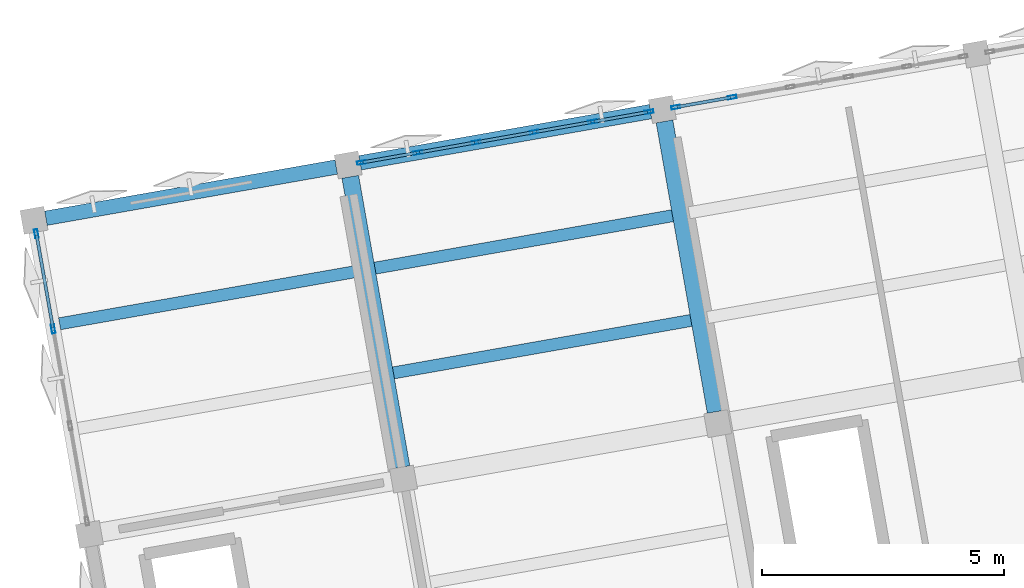
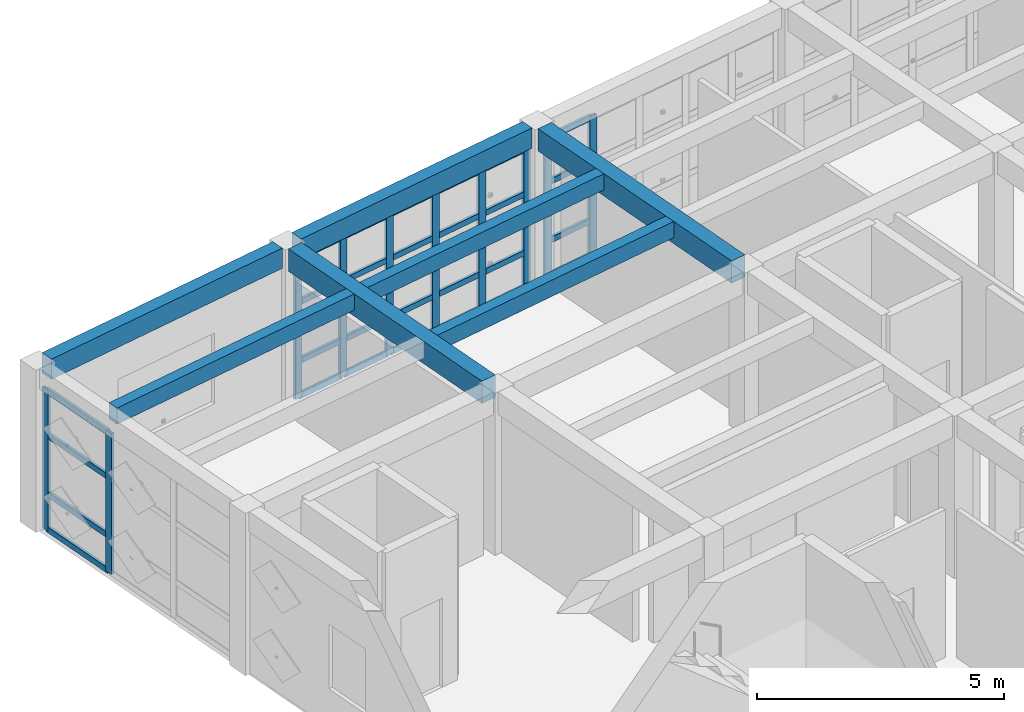
# One storey, part 6 of 15: 38 members, 7 beams, 3 elements without a shape of their own.
"""IFC4 building model written with IfcOpenShell, lengths in metres."""

from ifc_helpers import new_model, si_unit, direction, frame, origin, origin_2d, place, context, subcontext, project, spatial, rectangle, hollow_rectangle, extrude, material, layer, layer_set, material_profile, profile_set, type_object, element, aggregate, save


model = new_model("IFC4")

# Units and contexts
model_context = context("Model", 3, precision=1e-05, world=origin(), true_north=direction((0.0, 1.0)))
body_context = subcontext(model_context, "Body", "Model", "MODEL_VIEW")
ifc_project = project(units=[si_unit("LENGTHUNIT", "METRE"), si_unit("AREAUNIT", "SQUARE_METRE"), si_unit("VOLUMEUNIT", "CUBIC_METRE"), si_unit("PLANEANGLEUNIT", "RADIAN"), si_unit("MASSUNIT", "GRAM", prefix="KILO")], contexts=[model_context])

# Site, building, storey
site_placement = place(None, origin())
site = spatial("IfcSite", under=ifc_project, at=site_placement, CompositionType="ELEMENT")
building_placement = place(site_placement, origin())
building = spatial("IfcBuilding", under=site, at=building_placement, Name="Kharisveld Research Institute", CompositionType="ELEMENT")
storey_placement = place(building_placement, frame((0.0, 0.0, 40.800048828125)))
storey = spatial("IfcBuildingStorey", under=building, at=storey_placement, Name="L09", CompositionType="ELEMENT", Elevation=40.800048828125)

# Beams
ifc_material_1 = material(Name="Concrete C40/50", Category="concrete")
ifc_material_profile_1 = material_profile(ifc_material_1, rectangle(XDim=0.35009765625, YDim=0.550048828125, at=origin_2d()))
ifc_profile_set_1 = profile_set([ifc_material_profile_1], Name="Concrete C40/50")
beam_type_1 = type_object("IfcBeamType", Name="BM_RC_350x550", PredefinedType="BEAM", material=ifc_profile_set_1)
for number, where, z_axis, x_axis, name in (
    (1, (9.3642578125, 49.40185546875, 3.73486328125), (-0.173659757005, 0.984805711192, 0.0), (-0.984805711192, -0.173659757005, 0.0), "BM:V1:L09:V1_2"),
    (2, (15.864013671875, 50.5478515625, 3.73486328125), (-0.173659757005, 0.984805711192, 0.0), (-0.984805711192, -0.173659757005, 0.0), "BM:V1:L09:V2_2"),
):
    element("IfcBeam", number, at=place(storey_placement, frame(where, z_axis=z_axis, x_axis=x_axis)), inside=storey, type_object=beam_type_1, Name=name, PredefinedType="BEAM", context=body_context, shape_type="SweptSolid", body=[
        extrude(rectangle(XDim=0.35009765625, YDim=0.550048828125, at=origin_2d()), origin(), (0.0, 0.0, 1.0), 6.10009765625),
    ])

# Curtain wall, members
ifc_material_2 = material(Name="Thermally Broken Aluminium Curtain Wall", Category="aluminium")
ifc_layer_1 = layer(ifc_material_2, 0.159912109375)
ifc_layer_set_1 = layer_set([ifc_layer_1], Name="CW_SYS_06")
curtain_wall_type_1 = type_object("IfcCurtainWallType", Name="CW_SYS_06", PredefinedType="NOTDEFINED", material=ifc_layer_set_1)
curtain_wall_1_placement = place(storey_placement, origin())
curtain_wall_1 = element("IfcCurtainWall", 3, at=curtain_wall_1_placement, inside=storey, type_object=curtain_wall_type_1, Name="CW:V1:L09:W2", PredefinedType="NOTDEFINED")
ifc_material_3 = material(Name="Anodised Aluminium AW-6063-T6", Category="aluminium")
ifc_material_profile_2 = material_profile(ifc_material_3, hollow_rectangle(XDim=0.070068359375, YDim=0.179931640625, WallThickness=0.00439453125, at=origin_2d()))
ifc_profile_set_2 = profile_set([ifc_material_profile_2], Name="Anodised Aluminium AW-6063-T6")
member_type_1 = type_object("IfcMemberType", Name="CW_MUL_180", PredefinedType="MULLION", material=ifc_profile_set_2)
member_1_placement = place(storey_placement, frame((2.157958984375, 52.26220703125, 0.0), z_axis=(0.0, 0.0, 1.0), x_axis=(-0.984807766347, -0.173648102039, 0.0)))
member_1 = element("IfcMember", 4, at=member_1_placement, type_object=member_type_1, Name="CW-06 mullion 3", PredefinedType="MULLION", context=body_context, shape_type="SweptSolid", body=[
    extrude(hollow_rectangle(XDim=0.070068359375, YDim=0.179931640625, WallThickness=0.00439453125, at=origin_2d()), origin(), (0.0, 0.0, 1.0), 3.47998046875),
])
member_2_placement = place(storey_placement, frame((1.810302734375, 54.2333984375, 0.0), z_axis=(0.0, 0.0, 1.0), x_axis=(-0.984807766347, -0.173648102039, 0.0)))
member_2 = element("IfcMember", 5, at=member_2_placement, type_object=member_type_1, Name="CW-06 mullion 4", PredefinedType="MULLION", context=body_context, shape_type="SweptSolid", body=[
    extrude(hollow_rectangle(XDim=0.070068359375, YDim=0.179931640625, WallThickness=0.00439453125, at=origin_2d()), origin(), (0.0, 0.0, 1.0), 3.47998046875),
])

ifc_material_4 = material(Name="Thermally Broken Aluminium Curtain Wall", Category="aluminium")
ifc_layer_2 = layer(ifc_material_4, 0.159912109375)
ifc_layer_set_2 = layer_set([ifc_layer_2], Name="CW_SYS_01")
curtain_wall_type_2 = type_object("IfcCurtainWallType", Name="CW_SYS_01", PredefinedType="NOTDEFINED", material=ifc_layer_set_2)
curtain_wall_2_placement = place(storey_placement, origin())
curtain_wall_2 = element("IfcCurtainWall", 6, at=curtain_wall_2_placement, inside=storey, type_object=curtain_wall_type_2, Name="CW:V1:L09:N1", PredefinedType="NOTDEFINED")
member_3_placement = place(storey_placement, frame((8.537353515625, 55.703857421875, 0.0), z_axis=(0.0, 0.0, 1.0), x_axis=(-0.173648130021, 0.984807761413, 0.0)))
member_3 = element("IfcMember", 7, at=member_3_placement, type_object=member_type_1, Name="CW-01 mullion 1", PredefinedType="MULLION", context=body_context, shape_type="SweptSolid", body=[
    extrude(hollow_rectangle(XDim=0.070068359375, YDim=0.179931640625, WallThickness=0.00439453125, at=origin_2d()), origin(), (0.0, 0.0, 1.0), 3.47998046875),
])
member_4_placement = place(storey_placement, frame((9.706298828125, 55.909912109375, 0.0), z_axis=(0.0, 0.0, 1.0), x_axis=(-0.173648130021, 0.984807761413, 0.0)))
member_4 = element("IfcMember", 8, at=member_4_placement, type_object=member_type_1, Name="CW-01 mullion 2", PredefinedType="MULLION", context=body_context, shape_type="SweptSolid", body=[
    extrude(hollow_rectangle(XDim=0.070068359375, YDim=0.179931640625, WallThickness=0.00439453125, at=origin_2d()), origin(), (0.0, 0.0, 1.0), 3.47998046875),
])
member_5_placement = place(storey_placement, frame((10.90966796875, 56.122314453125, 0.0), z_axis=(0.0, 0.0, 1.0), x_axis=(-0.173648130021, 0.984807761413, 0.0)))
member_5 = element("IfcMember", 9, at=member_5_placement, type_object=member_type_1, Name="CW-01 mullion 3", PredefinedType="MULLION", context=body_context, shape_type="SweptSolid", body=[
    extrude(hollow_rectangle(XDim=0.070068359375, YDim=0.179931640625, WallThickness=0.00439453125, at=origin_2d()), origin(), (0.0, 0.0, 1.0), 3.47998046875),
])
member_6_placement = place(storey_placement, frame((12.113037109375, 56.33447265625, 0.0), z_axis=(0.0, 0.0, 1.0), x_axis=(-0.173648130021, 0.984807761413, 0.0)))
member_6 = element("IfcMember", 10, at=member_6_placement, type_object=member_type_1, Name="CW-01 mullion 4", PredefinedType="MULLION", context=body_context, shape_type="SweptSolid", body=[
    extrude(hollow_rectangle(XDim=0.070068359375, YDim=0.179931640625, WallThickness=0.00439453125, at=origin_2d()), origin(), (0.0, 0.0, 1.0), 3.47998046875),
])
member_7_placement = place(storey_placement, frame((13.31640625, 56.546630859375, 0.0), z_axis=(0.0, 0.0, 1.0), x_axis=(-0.173648130021, 0.984807761413, 0.0)))
member_7 = element("IfcMember", 11, at=member_7_placement, type_object=member_type_1, Name="CW-01 mullion 5", PredefinedType="MULLION", context=body_context, shape_type="SweptSolid", body=[
    extrude(hollow_rectangle(XDim=0.070068359375, YDim=0.179931640625, WallThickness=0.00439453125, at=origin_2d()), origin(), (0.0, 0.0, 1.0), 3.47998046875),
])
member_8_placement = place(storey_placement, frame((14.485595703125, 56.752685546875, 0.0), z_axis=(0.0, 0.0, 1.0), x_axis=(-0.173648130021, 0.984807761413, 0.0)))
member_8 = element("IfcMember", 12, at=member_8_placement, type_object=member_type_1, Name="CW-01 mullion 6", PredefinedType="MULLION", context=body_context, shape_type="SweptSolid", body=[
    extrude(hollow_rectangle(XDim=0.070068359375, YDim=0.179931640625, WallThickness=0.00439453125, at=origin_2d()), origin(), (0.0, 0.0, 1.0), 3.47998046875),
])

ifc_material_5 = material(Name="Thermally Broken Aluminium Curtain Wall", Category="aluminium")
ifc_layer_3 = layer(ifc_material_5, 0.159912109375)
ifc_layer_set_3 = layer_set([ifc_layer_3], Name="CW_SYS_02")
curtain_wall_type_3 = type_object("IfcCurtainWallType", Name="CW_SYS_02", PredefinedType="NOTDEFINED", material=ifc_layer_set_3)
curtain_wall_3_placement = place(storey_placement, origin())
curtain_wall_3 = element("IfcCurtainWall", 13, at=curtain_wall_3_placement, inside=storey, type_object=curtain_wall_type_3, Name="CW:V1:L09:N2", PredefinedType="NOTDEFINED")
member_9_placement = place(storey_placement, frame((15.036865234375, 56.849853515625, 0.0), z_axis=(0.0, 0.0, 1.0), x_axis=(-0.173648102039, 0.984807766347, 0.0)))
member_9 = element("IfcMember", 14, at=member_9_placement, type_object=member_type_1, Name="CW-02 mullion 1", PredefinedType="MULLION", context=body_context, shape_type="SweptSolid", body=[
    extrude(hollow_rectangle(XDim=0.070068359375, YDim=0.179931640625, WallThickness=0.00439453125, at=origin_2d()), origin(), (0.0, 0.0, 1.0), 3.47998046875),
])
member_10_placement = place(storey_placement, frame((16.2060546875, 57.05615234375, 0.0), z_axis=(0.0, 0.0, 1.0), x_axis=(-0.173648102039, 0.984807766347, 0.0)))
member_10 = element("IfcMember", 15, at=member_10_placement, type_object=member_type_1, Name="CW-02 mullion 2", PredefinedType="MULLION", context=body_context, shape_type="SweptSolid", body=[
    extrude(hollow_rectangle(XDim=0.070068359375, YDim=0.179931640625, WallThickness=0.00439453125, at=origin_2d()), origin(), (0.0, 0.0, 1.0), 3.47998046875),
])

# Member
ifc_material_6 = material(Name="Anodised Aluminium AW-6063-T6", Category="aluminium")
ifc_material_profile_3 = material_profile(ifc_material_6, hollow_rectangle(XDim=0.06494140625, YDim=0.139892578125, WallThickness=0.00390625, at=origin_2d()))
ifc_profile_set_3 = profile_set([ifc_material_profile_3], Name="Anodised Aluminium AW-6063-T6")
member_type_2 = type_object("IfcMemberType", Name="CW_TRN_140", PredefinedType="USERDEFINED", material=ifc_profile_set_3)
member_11_placement = place(storey_placement, frame((2.15185546875, 52.296630859375, 0.032470703125), z_axis=(-0.173655552599, 0.984806452584, 0.0), x_axis=(-0.984806452584, -0.173655552599, 0.0)))
member_11 = element("IfcMember", 16, at=member_11_placement, type_object=member_type_2, Name="CW-06 transom 3.1", ObjectType="TRANSOM", PredefinedType="USERDEFINED", context=body_context, shape_type="SweptSolid", body=[
    extrude(hollow_rectangle(XDim=0.06494140625, YDim=0.139892578125, WallThickness=0.00390625, at=origin_2d()), origin(), (0.0, 0.0, 1.0), 1.931640625),
])

member_12_placement = place(storey_placement, frame((2.15185546875, 52.296630859375, 0.89990234375), z_axis=(-0.173655552599, 0.984806452584, 0.0), x_axis=(-0.984806452584, -0.173655552599, 0.0)))
member_12 = element("IfcMember", 17, at=member_12_placement, type_object=member_type_2, Name="CW-06 transom 3.2", ObjectType="TRANSOM", PredefinedType="USERDEFINED", context=body_context, shape_type="SweptSolid", body=[
    extrude(hollow_rectangle(XDim=0.06494140625, YDim=0.139892578125, WallThickness=0.00390625, at=origin_2d()), origin(), (0.0, 0.0, 1.0), 1.931640625),
])

member_13_placement = place(storey_placement, frame((2.15185546875, 52.296630859375, 2.349853515625), z_axis=(-0.173655552599, 0.984806452584, 0.0), x_axis=(-0.984806452584, -0.173655552599, 0.0)))
member_13 = element("IfcMember", 18, at=member_13_placement, type_object=member_type_2, Name="CW-06 transom 3.3", ObjectType="TRANSOM", PredefinedType="USERDEFINED", context=body_context, shape_type="SweptSolid", body=[
    extrude(hollow_rectangle(XDim=0.06494140625, YDim=0.139892578125, WallThickness=0.00390625, at=origin_2d()), origin(), (0.0, 0.0, 1.0), 1.931640625),
])

member_14_placement = place(storey_placement, frame((2.15185546875, 52.296630859375, 3.447509765625), z_axis=(-0.173655552599, 0.984806452584, 0.0), x_axis=(-0.984806452584, -0.173655552599, 0.0)))
member_14 = element("IfcMember", 19, at=member_14_placement, type_object=member_type_2, Name="CW-06 transom 3.4", ObjectType="TRANSOM", PredefinedType="USERDEFINED", context=body_context, shape_type="SweptSolid", body=[
    extrude(hollow_rectangle(XDim=0.06494140625, YDim=0.139892578125, WallThickness=0.00390625, at=origin_2d()), origin(), (0.0, 0.0, 1.0), 1.931640625),
])

aggregate(curtain_wall_1, [member_1, member_2, member_11, member_12, member_13, member_14])

member_15_placement = place(storey_placement, frame((8.57177734375, 55.7099609375, 0.032470703125), z_axis=(0.984783558818, 0.173785333909, 0.0), x_axis=(-0.173785333909, 0.984783558818, 0.0)))
member_15 = element("IfcMember", 20, at=member_15_placement, type_object=member_type_2, Name="CW-01 transom 1.1", ObjectType="TRANSOM", PredefinedType="USERDEFINED", context=body_context, shape_type="SweptSolid", body=[
    extrude(hollow_rectangle(XDim=0.06494140625, YDim=0.139892578125, WallThickness=0.00390625, at=origin_2d()), origin(), (0.0, 0.0, 1.0), 1.116943359375),
])

member_16_placement = place(storey_placement, frame((8.57177734375, 55.7099609375, 0.89990234375), z_axis=(0.984783558818, 0.173785333909, 0.0), x_axis=(-0.173785333909, 0.984783558818, 0.0)))
member_16 = element("IfcMember", 21, at=member_16_placement, type_object=member_type_2, Name="CW-01 transom 1.2", ObjectType="TRANSOM", PredefinedType="USERDEFINED", context=body_context, shape_type="SweptSolid", body=[
    extrude(hollow_rectangle(XDim=0.06494140625, YDim=0.139892578125, WallThickness=0.00390625, at=origin_2d()), origin(), (0.0, 0.0, 1.0), 1.116943359375),
])

member_17_placement = place(storey_placement, frame((8.57177734375, 55.7099609375, 2.349853515625), z_axis=(0.984783558818, 0.173785333909, 0.0), x_axis=(-0.173785333909, 0.984783558818, 0.0)))
member_17 = element("IfcMember", 22, at=member_17_placement, type_object=member_type_2, Name="CW-01 transom 1.3", ObjectType="TRANSOM", PredefinedType="USERDEFINED", context=body_context, shape_type="SweptSolid", body=[
    extrude(hollow_rectangle(XDim=0.06494140625, YDim=0.139892578125, WallThickness=0.00390625, at=origin_2d()), origin(), (0.0, 0.0, 1.0), 1.116943359375),
])

member_18_placement = place(storey_placement, frame((8.57177734375, 55.7099609375, 3.447509765625), z_axis=(0.984783558818, 0.173785333909, 0.0), x_axis=(-0.173785333909, 0.984783558818, 0.0)))
member_18 = element("IfcMember", 23, at=member_18_placement, type_object=member_type_2, Name="CW-01 transom 1.4", ObjectType="TRANSOM", PredefinedType="USERDEFINED", context=body_context, shape_type="SweptSolid", body=[
    extrude(hollow_rectangle(XDim=0.06494140625, YDim=0.139892578125, WallThickness=0.00390625, at=origin_2d()), origin(), (0.0, 0.0, 1.0), 1.116943359375),
])

member_19_placement = place(storey_placement, frame((9.74072265625, 55.916015625, 0.032470703125), z_axis=(0.984785692152, 0.17377324458, 0.0), x_axis=(-0.17377324458, 0.984785692152, 0.0)))
member_19 = element("IfcMember", 24, at=member_19_placement, type_object=member_type_2, Name="CW-01 transom 2.1", ObjectType="TRANSOM", PredefinedType="USERDEFINED", context=body_context, shape_type="SweptSolid", body=[
    extrude(hollow_rectangle(XDim=0.06494140625, YDim=0.139892578125, WallThickness=0.00390625, at=origin_2d()), origin(), (0.0, 0.0, 1.0), 1.152099609375),
])

member_20_placement = place(storey_placement, frame((9.74072265625, 55.916015625, 0.89990234375), z_axis=(0.984785692152, 0.17377324458, 0.0), x_axis=(-0.17377324458, 0.984785692152, 0.0)))
member_20 = element("IfcMember", 25, at=member_20_placement, type_object=member_type_2, Name="CW-01 transom 2.2", ObjectType="TRANSOM", PredefinedType="USERDEFINED", context=body_context, shape_type="SweptSolid", body=[
    extrude(hollow_rectangle(XDim=0.06494140625, YDim=0.139892578125, WallThickness=0.00390625, at=origin_2d()), origin(), (0.0, 0.0, 1.0), 1.152099609375),
])

member_21_placement = place(storey_placement, frame((9.74072265625, 55.916015625, 2.349853515625), z_axis=(0.984785692152, 0.17377324458, 0.0), x_axis=(-0.17377324458, 0.984785692152, 0.0)))
member_21 = element("IfcMember", 26, at=member_21_placement, type_object=member_type_2, Name="CW-01 transom 2.3", ObjectType="TRANSOM", PredefinedType="USERDEFINED", context=body_context, shape_type="SweptSolid", body=[
    extrude(hollow_rectangle(XDim=0.06494140625, YDim=0.139892578125, WallThickness=0.00390625, at=origin_2d()), origin(), (0.0, 0.0, 1.0), 1.152099609375),
])

member_22_placement = place(storey_placement, frame((9.74072265625, 55.916015625, 3.447509765625), z_axis=(0.984785692152, 0.17377324458, 0.0), x_axis=(-0.17377324458, 0.984785692152, 0.0)))
member_22 = element("IfcMember", 27, at=member_22_placement, type_object=member_type_2, Name="CW-01 transom 2.4", ObjectType="TRANSOM", PredefinedType="USERDEFINED", context=body_context, shape_type="SweptSolid", body=[
    extrude(hollow_rectangle(XDim=0.06494140625, YDim=0.139892578125, WallThickness=0.00390625, at=origin_2d()), origin(), (0.0, 0.0, 1.0), 1.152099609375),
])

member_23_placement = place(storey_placement, frame((10.944091796875, 56.128173828125, 0.032470703125), z_axis=(0.984785692152, 0.17377324458, 0.0), x_axis=(-0.17377324458, 0.984785692152, 0.0)))
member_23 = element("IfcMember", 28, at=member_23_placement, type_object=member_type_2, Name="CW-01 transom 3.1", ObjectType="TRANSOM", PredefinedType="USERDEFINED", context=body_context, shape_type="SweptSolid", body=[
    extrude(hollow_rectangle(XDim=0.06494140625, YDim=0.139892578125, WallThickness=0.00390625, at=origin_2d()), origin(), (0.0, 0.0, 1.0), 1.152099609375),
])

member_24_placement = place(storey_placement, frame((10.944091796875, 56.128173828125, 0.89990234375), z_axis=(0.984785692152, 0.17377324458, 0.0), x_axis=(-0.17377324458, 0.984785692152, 0.0)))
member_24 = element("IfcMember", 29, at=member_24_placement, type_object=member_type_2, Name="CW-01 transom 3.2", ObjectType="TRANSOM", PredefinedType="USERDEFINED", context=body_context, shape_type="SweptSolid", body=[
    extrude(hollow_rectangle(XDim=0.06494140625, YDim=0.139892578125, WallThickness=0.00390625, at=origin_2d()), origin(), (0.0, 0.0, 1.0), 1.152099609375),
])

member_25_placement = place(storey_placement, frame((10.944091796875, 56.128173828125, 2.349853515625), z_axis=(0.984785692152, 0.17377324458, 0.0), x_axis=(-0.17377324458, 0.984785692152, 0.0)))
member_25 = element("IfcMember", 30, at=member_25_placement, type_object=member_type_2, Name="CW-01 transom 3.3", ObjectType="TRANSOM", PredefinedType="USERDEFINED", context=body_context, shape_type="SweptSolid", body=[
    extrude(hollow_rectangle(XDim=0.06494140625, YDim=0.139892578125, WallThickness=0.00390625, at=origin_2d()), origin(), (0.0, 0.0, 1.0), 1.152099609375),
])

member_26_placement = place(storey_placement, frame((10.944091796875, 56.128173828125, 3.447509765625), z_axis=(0.984785692152, 0.17377324458, 0.0), x_axis=(-0.17377324458, 0.984785692152, 0.0)))
member_26 = element("IfcMember", 31, at=member_26_placement, type_object=member_type_2, Name="CW-01 transom 3.4", ObjectType="TRANSOM", PredefinedType="USERDEFINED", context=body_context, shape_type="SweptSolid", body=[
    extrude(hollow_rectangle(XDim=0.06494140625, YDim=0.139892578125, WallThickness=0.00390625, at=origin_2d()), origin(), (0.0, 0.0, 1.0), 1.152099609375),
])

member_27_placement = place(storey_placement, frame((12.1474609375, 56.340576171875, 0.032470703125), z_axis=(0.984821937543, 0.173567713976, 0.0), x_axis=(-0.173567713976, 0.984821937543, 0.0)))
member_27 = element("IfcMember", 32, at=member_27_placement, type_object=member_type_2, Name="CW-01 transom 4.1", ObjectType="TRANSOM", PredefinedType="USERDEFINED", context=body_context, shape_type="SweptSolid", body=[
    extrude(hollow_rectangle(XDim=0.06494140625, YDim=0.139892578125, WallThickness=0.00390625, at=origin_2d()), origin(), (0.0, 0.0, 1.0), 1.152099609375),
])

member_28_placement = place(storey_placement, frame((12.1474609375, 56.340576171875, 0.89990234375), z_axis=(0.984821937543, 0.173567713976, 0.0), x_axis=(-0.173567713976, 0.984821937543, 0.0)))
member_28 = element("IfcMember", 33, at=member_28_placement, type_object=member_type_2, Name="CW-01 transom 4.2", ObjectType="TRANSOM", PredefinedType="USERDEFINED", context=body_context, shape_type="SweptSolid", body=[
    extrude(hollow_rectangle(XDim=0.06494140625, YDim=0.139892578125, WallThickness=0.00390625, at=origin_2d()), origin(), (0.0, 0.0, 1.0), 1.152099609375),
])

member_29_placement = place(storey_placement, frame((12.1474609375, 56.340576171875, 2.349853515625), z_axis=(0.984821937543, 0.173567713976, 0.0), x_axis=(-0.173567713976, 0.984821937543, 0.0)))
member_29 = element("IfcMember", 34, at=member_29_placement, type_object=member_type_2, Name="CW-01 transom 4.3", ObjectType="TRANSOM", PredefinedType="USERDEFINED", context=body_context, shape_type="SweptSolid", body=[
    extrude(hollow_rectangle(XDim=0.06494140625, YDim=0.139892578125, WallThickness=0.00390625, at=origin_2d()), origin(), (0.0, 0.0, 1.0), 1.152099609375),
])

member_30_placement = place(storey_placement, frame((12.1474609375, 56.340576171875, 3.447509765625), z_axis=(0.984821937543, 0.173567713976, 0.0), x_axis=(-0.173567713976, 0.984821937543, 0.0)))
member_30 = element("IfcMember", 35, at=member_30_placement, type_object=member_type_2, Name="CW-01 transom 4.4", ObjectType="TRANSOM", PredefinedType="USERDEFINED", context=body_context, shape_type="SweptSolid", body=[
    extrude(hollow_rectangle(XDim=0.06494140625, YDim=0.139892578125, WallThickness=0.00390625, at=origin_2d()), origin(), (0.0, 0.0, 1.0), 1.152099609375),
])

member_31_placement = place(storey_placement, frame((13.35107421875, 56.552734375, 0.032470703125), z_axis=(0.984820948469, 0.173573325879, 0.0), x_axis=(-0.173573325879, 0.984820948469, 0.0)))
member_31 = element("IfcMember", 36, at=member_31_placement, type_object=member_type_2, Name="CW-01 transom 5.1", ObjectType="TRANSOM", PredefinedType="USERDEFINED", context=body_context, shape_type="SweptSolid", body=[
    extrude(hollow_rectangle(XDim=0.06494140625, YDim=0.139892578125, WallThickness=0.00390625, at=origin_2d()), origin(), (0.0, 0.0, 1.0), 1.11669921875),
])

member_32_placement = place(storey_placement, frame((13.35107421875, 56.552734375, 0.89990234375), z_axis=(0.984820948469, 0.173573325879, 0.0), x_axis=(-0.173573325879, 0.984820948469, 0.0)))
member_32 = element("IfcMember", 37, at=member_32_placement, type_object=member_type_2, Name="CW-01 transom 5.2", ObjectType="TRANSOM", PredefinedType="USERDEFINED", context=body_context, shape_type="SweptSolid", body=[
    extrude(hollow_rectangle(XDim=0.06494140625, YDim=0.139892578125, WallThickness=0.00390625, at=origin_2d()), origin(), (0.0, 0.0, 1.0), 1.11669921875),
])

member_33_placement = place(storey_placement, frame((13.35107421875, 56.552734375, 2.349853515625), z_axis=(0.984820948469, 0.173573325879, 0.0), x_axis=(-0.173573325879, 0.984820948469, 0.0)))
member_33 = element("IfcMember", 38, at=member_33_placement, type_object=member_type_2, Name="CW-01 transom 5.3", ObjectType="TRANSOM", PredefinedType="USERDEFINED", context=body_context, shape_type="SweptSolid", body=[
    extrude(hollow_rectangle(XDim=0.06494140625, YDim=0.139892578125, WallThickness=0.00390625, at=origin_2d()), origin(), (0.0, 0.0, 1.0), 1.11669921875),
])

member_34_placement = place(storey_placement, frame((13.35107421875, 56.552734375, 3.447509765625), z_axis=(0.984820948469, 0.173573325879, 0.0), x_axis=(-0.173573325879, 0.984820948469, 0.0)))
member_34 = element("IfcMember", 39, at=member_34_placement, type_object=member_type_2, Name="CW-01 transom 5.4", ObjectType="TRANSOM", PredefinedType="USERDEFINED", context=body_context, shape_type="SweptSolid", body=[
    extrude(hollow_rectangle(XDim=0.06494140625, YDim=0.139892578125, WallThickness=0.00390625, at=origin_2d()), origin(), (0.0, 0.0, 1.0), 1.11669921875),
])

aggregate(curtain_wall_2, [member_3, member_4, member_5, member_6, member_7, member_8, member_15, member_16, member_17, member_18, member_19, member_20, member_21, member_22, member_23, member_24, member_25, member_26, member_27, member_28, member_29, member_30, member_31, member_32, member_33, member_34])

member_35_placement = place(storey_placement, frame((15.071533203125, 56.85595703125, 0.032470703125), z_axis=(0.984783558818, 0.173785333909, 0.0), x_axis=(-0.173785333909, 0.984783558818, 0.0)))
member_35 = element("IfcMember", 40, at=member_35_placement, type_object=member_type_2, Name="CW-02 transom 1.1", ObjectType="TRANSOM", PredefinedType="USERDEFINED", context=body_context, shape_type="SweptSolid", body=[
    extrude(hollow_rectangle(XDim=0.06494140625, YDim=0.139892578125, WallThickness=0.00390625, at=origin_2d()), origin(), (0.0, 0.0, 1.0), 1.116943359375),
])

member_36_placement = place(storey_placement, frame((15.071533203125, 56.85595703125, 0.89990234375), z_axis=(0.984783558818, 0.173785333909, 0.0), x_axis=(-0.173785333909, 0.984783558818, 0.0)))
member_36 = element("IfcMember", 41, at=member_36_placement, type_object=member_type_2, Name="CW-02 transom 1.2", ObjectType="TRANSOM", PredefinedType="USERDEFINED", context=body_context, shape_type="SweptSolid", body=[
    extrude(hollow_rectangle(XDim=0.06494140625, YDim=0.139892578125, WallThickness=0.00390625, at=origin_2d()), origin(), (0.0, 0.0, 1.0), 1.116943359375),
])

member_37_placement = place(storey_placement, frame((15.071533203125, 56.85595703125, 2.349853515625), z_axis=(0.984783558818, 0.173785333909, 0.0), x_axis=(-0.173785333909, 0.984783558818, 0.0)))
member_37 = element("IfcMember", 42, at=member_37_placement, type_object=member_type_2, Name="CW-02 transom 1.3", ObjectType="TRANSOM", PredefinedType="USERDEFINED", context=body_context, shape_type="SweptSolid", body=[
    extrude(hollow_rectangle(XDim=0.06494140625, YDim=0.139892578125, WallThickness=0.00390625, at=origin_2d()), origin(), (0.0, 0.0, 1.0), 1.116943359375),
])

member_38_placement = place(storey_placement, frame((15.071533203125, 56.85595703125, 3.447509765625), z_axis=(0.984783558818, 0.173785333909, 0.0), x_axis=(-0.173785333909, 0.984783558818, 0.0)))
member_38 = element("IfcMember", 43, at=member_38_placement, type_object=member_type_2, Name="CW-02 transom 1.4", ObjectType="TRANSOM", PredefinedType="USERDEFINED", context=body_context, shape_type="SweptSolid", body=[
    extrude(hollow_rectangle(XDim=0.06494140625, YDim=0.139892578125, WallThickness=0.00390625, at=origin_2d()), origin(), (0.0, 0.0, 1.0), 1.116943359375),
])

aggregate(curtain_wall_3, [member_9, member_10, member_35, member_36, member_37, member_38])

# Beams
ifc_material_7 = material(Name="Concrete C40/50", Category="concrete")
ifc_material_profile_4 = material_profile(ifc_material_7, rectangle(XDim=0.300048828125, YDim=0.5, at=origin_2d()))
ifc_profile_set_4 = profile_set([ifc_material_profile_4], Name="Concrete C40/50")
beam_type_2 = type_object("IfcBeamType", Name="SP_RC_300x500", PredefinedType="SPANDREL", material=ifc_profile_set_4)
for number, where, z_axis, x_axis, name in (
    (44, (2.008056640625, 54.552490234375, 3.760009765625), (0.984805711192, 0.173659757005, 0.0), (-0.173659757005, 0.984805711192, 0.0), "BM:V1:L09:U0_3"),
    (45, (8.5078125, 55.69873046875, 3.760009765625), (0.984805711192, 0.173659757005, 0.0), (-0.173659757005, 0.984805711192, 0.0), "BM:V1:L09:U1_3"),
):
    element("IfcBeam", number, at=place(storey_placement, frame(where, z_axis=z_axis, x_axis=x_axis)), inside=storey, type_object=beam_type_2, Name=name, PredefinedType="SPANDREL", context=body_context, shape_type="SweptSolid", body=[
        extrude(rectangle(XDim=0.300048828125, YDim=0.5, at=origin_2d()), origin(), (0.0, 0.0, 1.0), 6.10009765625),
    ])
ifc_material_8 = material(Name="Concrete C40/50", Category="concrete")
ifc_material_profile_5 = material_profile(ifc_material_8, rectangle(XDim=0.25, YDim=0.39990234375, at=origin_2d()))
ifc_profile_set_5 = profile_set([ifc_material_profile_5], Name="Concrete C40/50")
beam_type_3 = type_object("IfcBeamType", Name="WB_RC_250x400", PredefinedType="JOIST", material=ifc_profile_set_5)
beam_placement = place(storey_placement, frame((2.29150390625, 52.36865234375, 3.81005859375), z_axis=(0.9848090074, 0.173641063528, 0.0), x_axis=(-0.173641063528, 0.9848090074, 0.0)))
element("IfcBeam", 46, at=beam_placement, inside=storey, type_object=beam_type_3, Name="BM:V1:L09:J_0_2_R2", PredefinedType="JOIST", context=body_context, shape_type="SweptSolid", body=[
    extrude(rectangle(XDim=0.25, YDim=0.39990234375, at=origin_2d()), origin(), (0.0, 0.0, 1.0), 6.27490234375),
])
for number, where, z_axis, x_axis, name in (
    (47, (9.197998046875, 51.3525390625, 3.81005859375), (0.984810288083, 0.17363379995, 0.0), (-0.17363379995, 0.984810288083, 0.0), "BM:V1:L09:J_1_2_R1"),
    (48, (8.81591796875, 53.51904296875, 3.81005859375), (0.984803607817, 0.173671684596, 0.0), (-0.173671684596, 0.984803607817, 0.0), "BM:V1:L09:J_1_2_R2"),
):
    element("IfcBeam", number, at=place(storey_placement, frame(where, z_axis=z_axis, x_axis=x_axis)), inside=storey, type_object=beam_type_3, Name=name, PredefinedType="JOIST", context=body_context, shape_type="SweptSolid", body=[
        extrude(rectangle(XDim=0.25, YDim=0.39990234375, at=origin_2d()), origin(), (0.0, 0.0, 1.0), 6.25),
    ])

save(model, "model.ifc")
